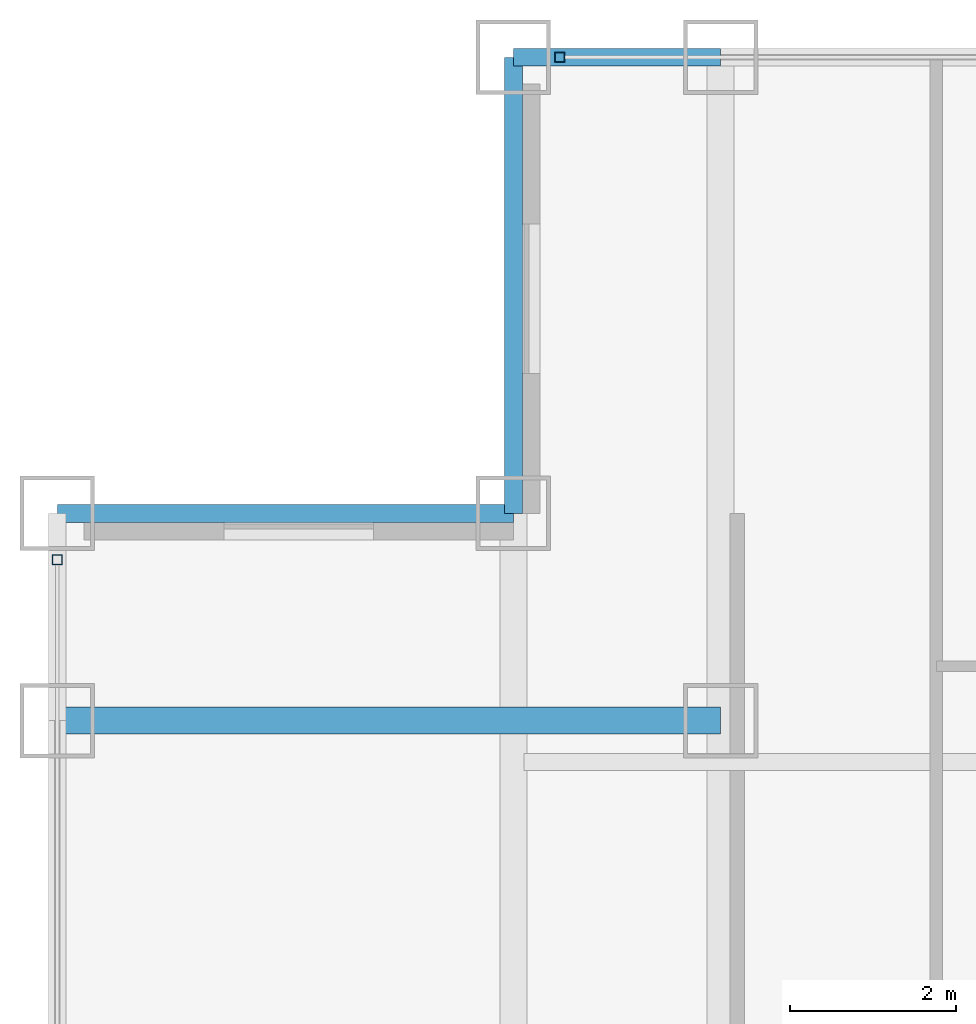
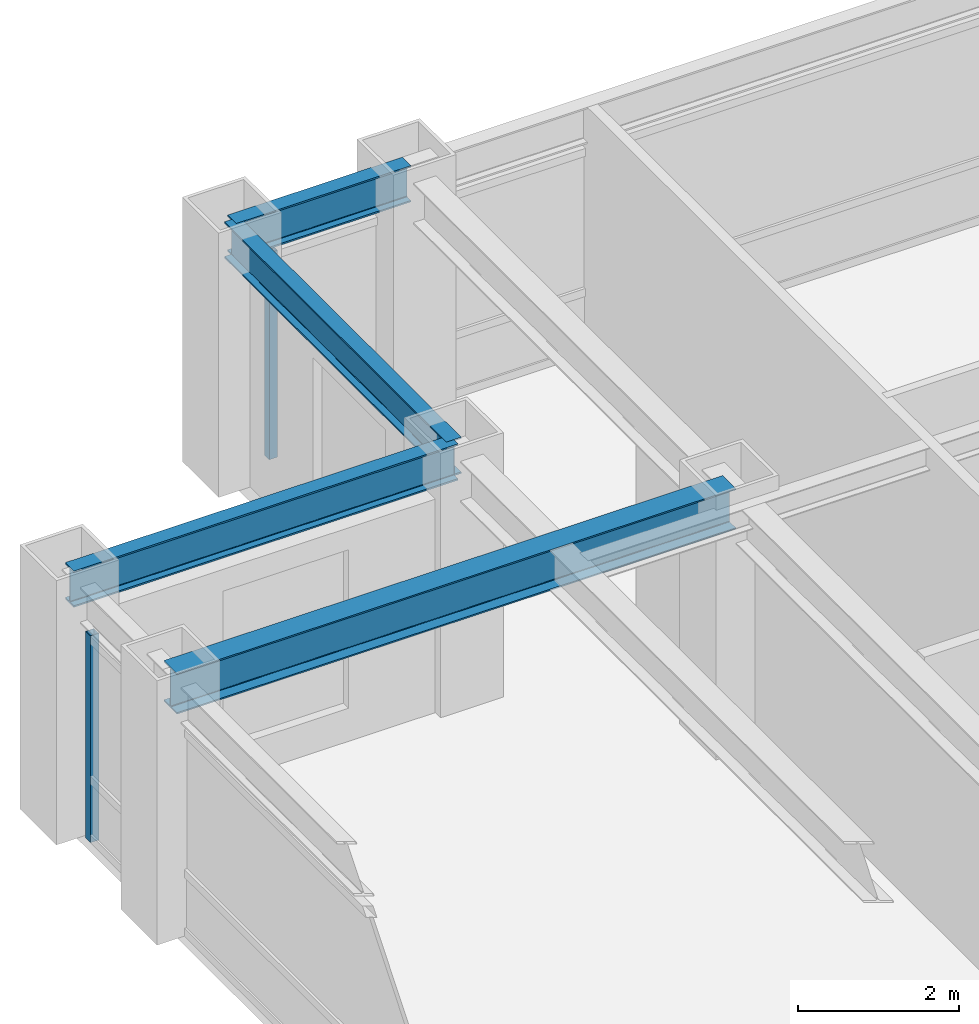
# One storey, part 12 of 22: 4 beams, 2 members, 2 elements without a shape of their own.
"""IFC4 building model written with IfcOpenShell, lengths in metres."""

from ifc_helpers import new_model, si_unit, direction, frame, origin, origin_2d, place, context, subcontext, project, spatial, hollow_rectangle, i_section, extrude, source, transform, mapped, material, material_profile, profile_set, type_object, element, aggregate, save


model = new_model("IFC4")

# Units and contexts
model_context = context("Model", 3, precision=1e-05, world=origin(), true_north=direction((0.0, 1.0)))
body_context = subcontext(model_context, "Body", "Model", "MODEL_VIEW")
ifc_project = project(units=[si_unit("LENGTHUNIT", "METRE"), si_unit("AREAUNIT", "SQUARE_METRE"), si_unit("VOLUMEUNIT", "CUBIC_METRE"), si_unit("PLANEANGLEUNIT", "RADIAN"), si_unit("MASSUNIT", "GRAM", prefix="KILO")], contexts=[model_context])

# Site, building, storey
site_placement = place(None, origin())
site = spatial("IfcSite", under=ifc_project, at=site_placement, CompositionType="ELEMENT")
building_placement = place(site_placement, origin())
building = spatial("IfcBuilding", under=site, at=building_placement, Name="Khorayat Bourse Tower", CompositionType="ELEMENT")
storey_placement = place(building_placement, frame((0.0, 0.0, 301.5)))
storey = spatial("IfcBuildingStorey", under=building, at=storey_placement, Name="L71", CompositionType="ELEMENT", Elevation=301.5)

# Beams
ifc_material_1 = material(Name="Steel ASTM A992 Grade 50", Category="steel")
ifc_material_profile_1 = material_profile(ifc_material_1, i_section(OverallWidth=0.324951171875, OverallDepth=0.615966796875, WebThickness=0.013916015625, FlangeThickness=0.021484375, FilletRadius=0.01611328125, at=origin_2d()), Name="W610X174")
ifc_profile_set_1 = profile_set([ifc_material_profile_1], Name="Steel ASTM A992 Grade 50")
beam_type_1 = type_object("IfcBeamType", Name="BM-GIRD-610", PredefinedType="BEAM", material=ifc_profile_set_1)
shared_shape_1 = source(origin(), body_context, "Body", "SweptSolid", [
    extrude(i_section(OverallWidth=0.324951171875, OverallDepth=0.615966796875, WebThickness=0.013916015625, FlangeThickness=0.021484375, FilletRadius=0.01611328125, at=origin_2d()), origin(), (0.0, 0.0, 1.0), 8.0),
])
beam_1_placement = place(storey_placement, frame((-28.0, 20.0, 3.471923828125), z_axis=(1.0, 0.0, 0.0), x_axis=(0.0, 1.0, 0.0)))
element("IfcBeam", 1, at=beam_1_placement, inside=storey, type_object=beam_type_1, Name="L71 BM-GIRD-610 BM-L71-CNRX-095", PredefinedType="BEAM", context=body_context, shape_type="MappedRepresentation", body=[
    mapped(shared_shape_1, transform((0.0, 0.0, 0.0), scale=1.0)),
])
ifc_material_profile_2 = material_profile(ifc_material_1, i_section(OverallWidth=0.214111328125, OverallDepth=0.549072265625, WebThickness=0.0146484375, FlangeThickness=0.023681640625, FilletRadius=0.013916015625, at=origin_2d()), Name="W530X138")
ifc_profile_set_2 = profile_set([ifc_material_profile_2], Name="Steel ASTM A992 Grade 50")
beam_type_2 = type_object("IfcBeamType", Name="BM-SPAN-530", PredefinedType="SPANDREL", material=ifc_profile_set_2)
shared_shape_2 = source(origin(), body_context, "Body", "SweptSolid", [
    extrude(i_section(OverallWidth=0.214111328125, OverallDepth=0.549072265625, WebThickness=0.0146484375, FlangeThickness=0.023681640625, FilletRadius=0.013916015625, at=origin_2d()), origin(), (0.0, 0.0, 1.0), 2.5),
])
beam_2_placement = place(storey_placement, frame((-22.5, 28.0, 3.505615234375), z_axis=(1.0, 0.0, 0.0), x_axis=(0.0, 1.0, 0.0)))
element("IfcBeam", 2, at=beam_2_placement, inside=storey, type_object=beam_type_2, Name="L71 BM-SPAN-530 BM-L71-SPN-051", PredefinedType="SPANDREL", context=body_context, shape_type="MappedRepresentation", body=[
    mapped(shared_shape_2, transform((0.0, 0.0, 0.0), scale=1.0)),
])
shared_shape_3 = source(origin(), body_context, "Body", "SweptSolid", [
    extrude(i_section(OverallWidth=0.214111328125, OverallDepth=0.549072265625, WebThickness=0.0146484375, FlangeThickness=0.023681640625, FilletRadius=0.013916015625, at=origin_2d()), origin(), (0.0, 0.0, 1.0), 5.5),
])
for number, where, z_axis, x_axis, name in (
    (3, (-22.5, 22.5, 3.505615234375), (0.0, 1.0, 0.0), (-1.0, 0.0, 0.0), "L71 BM-SPAN-530 BM-L71-SPN-052"),
    (4, (-28.0, 22.5, 3.505615234375), (1.0, 0.0, 0.0), (0.0, 1.0, 0.0), "L71 BM-SPAN-530 BM-L71-SPN-053"),
):
    element("IfcBeam", number, at=place(storey_placement, frame(where, z_axis=z_axis, x_axis=x_axis)), inside=storey, type_object=beam_type_2, Name=name, PredefinedType="SPANDREL", context=body_context, shape_type="MappedRepresentation", body=[
        mapped(shared_shape_3, transform((0.0, 0.0, 0.0), scale=1.0)),
    ])

# Curtain wall, member
ifc_material_2 = material(Name="Aluminium EN AW-6063 T6", Category="aluminium")
curtain_wall_type = type_object("IfcCurtainWallType", Name="CW-SYS-04", PredefinedType="NOTDEFINED", material=ifc_material_2)
curtain_wall_1_placement = place(storey_placement, origin())
curtain_wall_1 = element("IfcCurtainWall", 5, at=curtain_wall_1_placement, inside=storey, type_object=curtain_wall_type, Name="L71 Curtain Wall CW-L71-N1", PredefinedType="NOTDEFINED")
ifc_material_profile_3 = material_profile(ifc_material_2, hollow_rectangle(XDim=0.1201171875, YDim=0.1201171875, WallThickness=0.0048828125, at=origin_2d()), Name="ALU 120x120x5")
ifc_profile_set_3 = profile_set([ifc_material_profile_3], Name="Aluminium EN AW-6063 T6")
member_type = type_object("IfcMemberType", Name="CWM-VERT-120", PredefinedType="MULLION", material=ifc_profile_set_3)
shared_shape_4 = source(origin(), body_context, "Body", "SweptSolid", [
    extrude(hollow_rectangle(XDim=0.1201171875, YDim=0.1201171875, WallThickness=0.0048828125, at=origin_2d()), origin(), (0.0, 0.0, 1.0), 3.1298828125),
])
member_1_placement = place(storey_placement, frame((-21.93994140625, 28.0, 0.0), z_axis=(0.0, 0.0, 1.0), x_axis=(0.0, 1.0, 0.0)))
member_1 = element("IfcMember", 6, at=member_1_placement, type_object=member_type, Name="CW-L71-N1 Vertical Mullion 1", PredefinedType="MULLION", context=body_context, shape_type="MappedRepresentation", body=[
    mapped(shared_shape_4, transform((0.0, 0.0, 0.0), scale=1.0)),
])
aggregate(curtain_wall_1, [member_1])

curtain_wall_2_placement = place(storey_placement, origin())
curtain_wall_2 = element("IfcCurtainWall", 7, at=curtain_wall_2_placement, inside=storey, type_object=curtain_wall_type, Name="L71 Curtain Wall CW-L71-W1", PredefinedType="NOTDEFINED")
member_2_placement = place(storey_placement, frame((-28.0, 21.93994140625, 0.0), z_axis=(0.0, 0.0, 1.0), x_axis=(-1.0, 0.0, 0.0)))
member_2 = element("IfcMember", 8, at=member_2_placement, type_object=member_type, Name="CW-L71-W1 Vertical Mullion 3", PredefinedType="MULLION", context=body_context, shape_type="MappedRepresentation", body=[
    mapped(shared_shape_4, transform((0.0, 0.0, 0.0), scale=1.0)),
])
aggregate(curtain_wall_2, [member_2])

save(model, "model.ifc")
